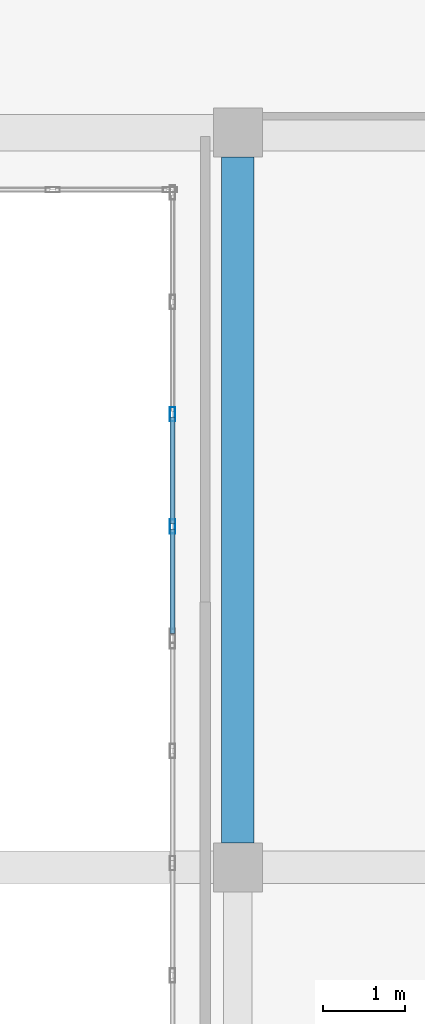
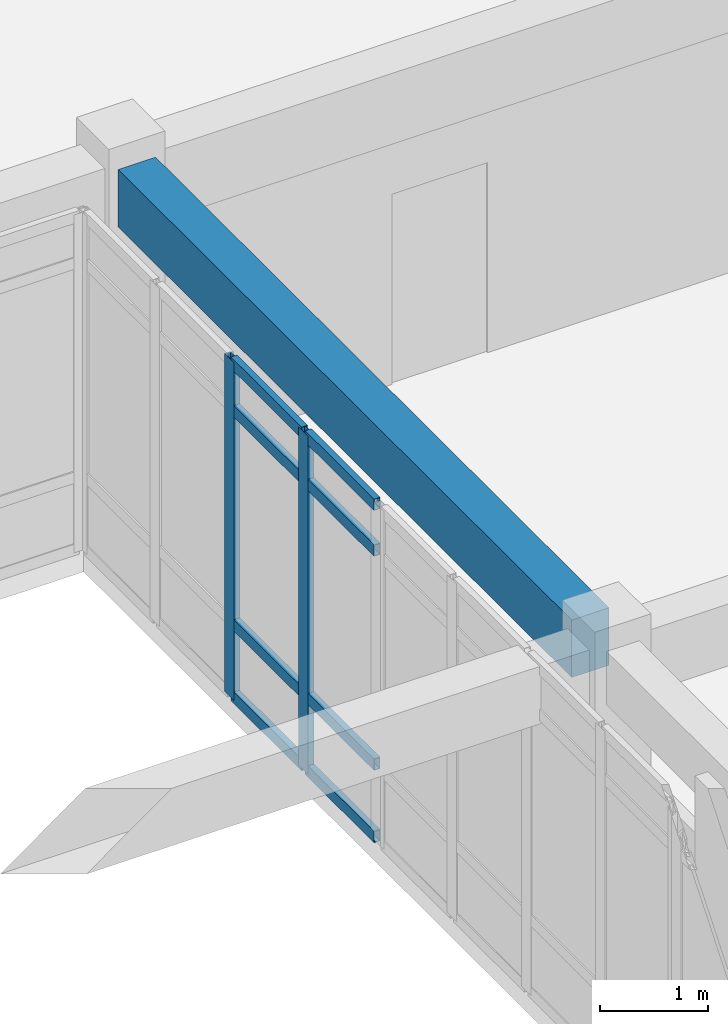
# One storey, part 99 of 146: 10 members, 1 beam, 1 element without a shape of its own.
"""IFC4 building model written with IfcOpenShell, lengths in metres."""

from ifc_helpers import new_model, si_unit, direction, frame, origin, origin_2d, place, context, subcontext, project, spatial, rectangle, hollow_rectangle, extrude, material, layer, layer_set, material_profile, profile_set, type_object, element, aggregate, save


model = new_model("IFC4")

# Units and contexts
model_context = context("Model", 3, precision=1e-05, world=origin(), true_north=direction((0.0, 1.0)))
body_context = subcontext(model_context, "Body", "Model", "MODEL_VIEW")
ifc_project = project(units=[si_unit("LENGTHUNIT", "METRE"), si_unit("AREAUNIT", "SQUARE_METRE"), si_unit("VOLUMEUNIT", "CUBIC_METRE"), si_unit("PLANEANGLEUNIT", "RADIAN"), si_unit("MASSUNIT", "GRAM", prefix="KILO")], contexts=[model_context])

# Site, building, storey
site_placement = place(None, origin())
site = spatial("IfcSite", under=ifc_project, at=site_placement, CompositionType="ELEMENT")
building_placement = place(site_placement, origin())
building = spatial("IfcBuilding", under=site, at=building_placement, Name="Valcora Specialist Clinic", CompositionType="ELEMENT")
storey_placement = place(building_placement, frame((0.0, 0.0, 9.52001953125)))
storey = spatial("IfcBuildingStorey", under=building, at=storey_placement, Name="L02", CompositionType="ELEMENT", Elevation=9.52001953125)

# Beam
ifc_material_1 = material(Name="Concrete C40/50", Category="concrete")
ifc_material_profile_1 = material_profile(ifc_material_1, rectangle(XDim=0.39990234375, YDim=0.64990234375, at=origin_2d()), Name="RC-BM-400X650")
ifc_profile_set_1 = profile_set([ifc_material_profile_1], Name="Concrete C40/50")
beam_type = type_object("IfcBeamType", Name="TY-BM-RC400X650", PredefinedType="BEAM", material=ifc_profile_set_1)
beam_placement = place(storey_placement, frame((126.0, 90.5, 3.494873046875), z_axis=(0.0, 1.0, 0.0), x_axis=(-1.0, 0.0, 0.0)))
element("IfcBeam", 1, at=beam_placement, inside=storey, type_object=beam_type, Name="Beam BM-L02-0763", PredefinedType="BEAM", context=body_context, shape_type="SweptSolid", body=[
    extrude(rectangle(XDim=0.39990234375, YDim=0.64990234375, at=origin_2d()), origin(), (0.0, 0.0, 1.0), 8.39990234375),
])

# Curtain wall, members
ifc_material_2 = material(Name="Anodized Bronze Aluminium 6063-T6", Category="aluminium")
ifc_layer = layer(ifc_material_2, 0.175048828125)
ifc_layer_set = layer_set([ifc_layer], Name="Anodized Bronze Aluminium 6063-T6")
curtain_wall_type = type_object("IfcCurtainWallType", Name="TY-CW-CRT15", PredefinedType="NOTDEFINED", material=ifc_layer_set)
curtain_wall_placement = place(storey_placement, origin())
curtain_wall = element("IfcCurtainWall", 2, at=curtain_wall_placement, inside=storey, type_object=curtain_wall_type, Name="Curtain wall CW-L02-110", PredefinedType="NOTDEFINED")
ifc_material_profile_2 = material_profile(ifc_material_2, hollow_rectangle(XDim=0.06494140625, YDim=0.175048828125, WallThickness=0.00390625, at=origin_2d()), Name="AL-MUL-65X175")
ifc_profile_set_2 = profile_set([ifc_material_profile_2], Name="Anodized Bronze Aluminium 6063-T6")
member_type_1 = type_object("IfcMemberType", Name="TY-CWM-65X175", PredefinedType="MULLION", material=ifc_profile_set_2)
member_1_placement = place(storey_placement, frame((125.199951171875, 94.375, 0.0), z_axis=(0.0, 0.0, 1.0), x_axis=(-1.0, 0.0, 0.0)))
member_1 = element("IfcMember", 3, at=member_1_placement, type_object=member_type_1, Name="CW-CRT-15 mullion 2", PredefinedType="MULLION", context=body_context, shape_type="SweptSolid", body=[
    extrude(hollow_rectangle(XDim=0.06494140625, YDim=0.175048828125, WallThickness=0.00390625, at=origin_2d()), origin(), (0.0, 0.0, 1.0), 3.820068359375),
])
member_2_placement = place(storey_placement, frame((125.199951171875, 95.75, 0.0), z_axis=(0.0, 0.0, 1.0), x_axis=(-1.0, 0.0, 0.0)))
member_2 = element("IfcMember", 4, at=member_2_placement, type_object=member_type_1, Name="CW-CRT-15 mullion 3", PredefinedType="MULLION", context=body_context, shape_type="SweptSolid", body=[
    extrude(hollow_rectangle(XDim=0.06494140625, YDim=0.175048828125, WallThickness=0.00390625, at=origin_2d()), origin(), (0.0, 0.0, 1.0), 3.820068359375),
])
ifc_material_profile_3 = material_profile(ifc_material_2, hollow_rectangle(XDim=0.06494140625, YDim=0.1298828125, WallThickness=0.00390625, at=origin_2d()), Name="AL-TRN-65X130")
ifc_profile_set_3 = profile_set([ifc_material_profile_3], Name="Anodized Bronze Aluminium 6063-T6")
member_type_2 = type_object("IfcMemberType", Name="TY-CWT-65X130", PredefinedType="USERDEFINED", material=ifc_profile_set_3)
member_3_placement = place(storey_placement, frame((125.199951171875, 93.06494140625, 0.032470703125), z_axis=(0.0, 1.0, 0.0), x_axis=(-1.0, 0.0, 0.0)))
member_3 = element("IfcMember", 5, at=member_3_placement, type_object=member_type_2, Name="CW-CRT-15 transom 1.1", ObjectType="TRANSOM", PredefinedType="USERDEFINED", context=body_context, shape_type="SweptSolid", body=[
    extrude(hollow_rectangle(XDim=0.06494140625, YDim=0.1298828125, WallThickness=0.00390625, at=origin_2d()), origin(), (0.0, 0.0, 1.0), 1.277587890625),
])
member_4_placement = place(storey_placement, frame((125.199951171875, 93.06494140625, 0.85009765625), z_axis=(0.0, 1.0, 0.0), x_axis=(-1.0, 0.0, 0.0)))
member_4 = element("IfcMember", 6, at=member_4_placement, type_object=member_type_2, Name="CW-CRT-15 transom 1.2", ObjectType="TRANSOM", PredefinedType="USERDEFINED", context=body_context, shape_type="SweptSolid", body=[
    extrude(hollow_rectangle(XDim=0.06494140625, YDim=0.1298828125, WallThickness=0.00390625, at=origin_2d()), origin(), (0.0, 0.0, 1.0), 1.277587890625),
])
member_5_placement = place(storey_placement, frame((125.199951171875, 93.06494140625, 3.27001953125), z_axis=(0.0, 1.0, 0.0), x_axis=(-1.0, 0.0, 0.0)))
member_5 = element("IfcMember", 7, at=member_5_placement, type_object=member_type_2, Name="CW-CRT-15 transom 1.3", ObjectType="TRANSOM", PredefinedType="USERDEFINED", context=body_context, shape_type="SweptSolid", body=[
    extrude(hollow_rectangle(XDim=0.06494140625, YDim=0.1298828125, WallThickness=0.00390625, at=origin_2d()), origin(), (0.0, 0.0, 1.0), 1.277587890625),
])
member_6_placement = place(storey_placement, frame((125.199951171875, 93.06494140625, 3.78759765625), z_axis=(0.0, 1.0, 0.0), x_axis=(-1.0, 0.0, 0.0)))
member_6 = element("IfcMember", 8, at=member_6_placement, type_object=member_type_2, Name="CW-CRT-15 transom 1.4", ObjectType="TRANSOM", PredefinedType="USERDEFINED", context=body_context, shape_type="SweptSolid", body=[
    extrude(hollow_rectangle(XDim=0.06494140625, YDim=0.1298828125, WallThickness=0.00390625, at=origin_2d()), origin(), (0.0, 0.0, 1.0), 1.277587890625),
])
member_7_placement = place(storey_placement, frame((125.199951171875, 94.407470703125, 0.032470703125), z_axis=(0.0, 1.0, 0.0), x_axis=(-1.0, 0.0, 0.0)))
member_7 = element("IfcMember", 9, at=member_7_placement, type_object=member_type_2, Name="CW-CRT-15 transom 2.1", ObjectType="TRANSOM", PredefinedType="USERDEFINED", context=body_context, shape_type="SweptSolid", body=[
    extrude(hollow_rectangle(XDim=0.06494140625, YDim=0.1298828125, WallThickness=0.00390625, at=origin_2d()), origin(), (0.0, 0.0, 1.0), 1.31005859375),
])
member_8_placement = place(storey_placement, frame((125.199951171875, 94.407470703125, 0.85009765625), z_axis=(0.0, 1.0, 0.0), x_axis=(-1.0, 0.0, 0.0)))
member_8 = element("IfcMember", 10, at=member_8_placement, type_object=member_type_2, Name="CW-CRT-15 transom 2.2", ObjectType="TRANSOM", PredefinedType="USERDEFINED", context=body_context, shape_type="SweptSolid", body=[
    extrude(hollow_rectangle(XDim=0.06494140625, YDim=0.1298828125, WallThickness=0.00390625, at=origin_2d()), origin(), (0.0, 0.0, 1.0), 1.31005859375),
])
member_9_placement = place(storey_placement, frame((125.199951171875, 94.407470703125, 3.27001953125), z_axis=(0.0, 1.0, 0.0), x_axis=(-1.0, 0.0, 0.0)))
member_9 = element("IfcMember", 11, at=member_9_placement, type_object=member_type_2, Name="CW-CRT-15 transom 2.3", ObjectType="TRANSOM", PredefinedType="USERDEFINED", context=body_context, shape_type="SweptSolid", body=[
    extrude(hollow_rectangle(XDim=0.06494140625, YDim=0.1298828125, WallThickness=0.00390625, at=origin_2d()), origin(), (0.0, 0.0, 1.0), 1.31005859375),
])
member_10_placement = place(storey_placement, frame((125.199951171875, 94.407470703125, 3.78759765625), z_axis=(0.0, 1.0, 0.0), x_axis=(-1.0, 0.0, 0.0)))
member_10 = element("IfcMember", 12, at=member_10_placement, type_object=member_type_2, Name="CW-CRT-15 transom 2.4", ObjectType="TRANSOM", PredefinedType="USERDEFINED", context=body_context, shape_type="SweptSolid", body=[
    extrude(hollow_rectangle(XDim=0.06494140625, YDim=0.1298828125, WallThickness=0.00390625, at=origin_2d()), origin(), (0.0, 0.0, 1.0), 1.31005859375),
])
aggregate(curtain_wall, [member_1, member_2, member_3, member_4, member_5, member_6, member_7, member_8, member_9, member_10])

save(model, "model.ifc")
